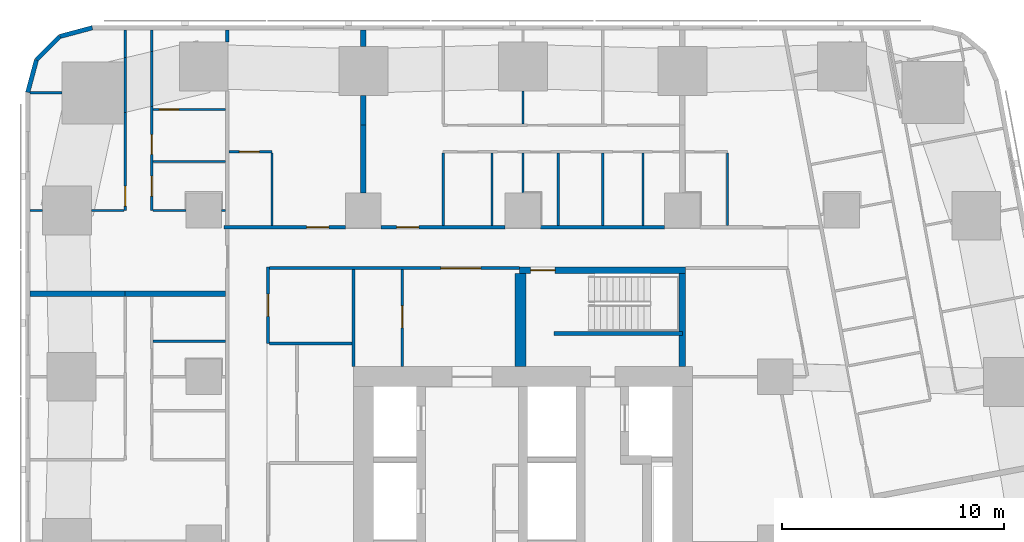
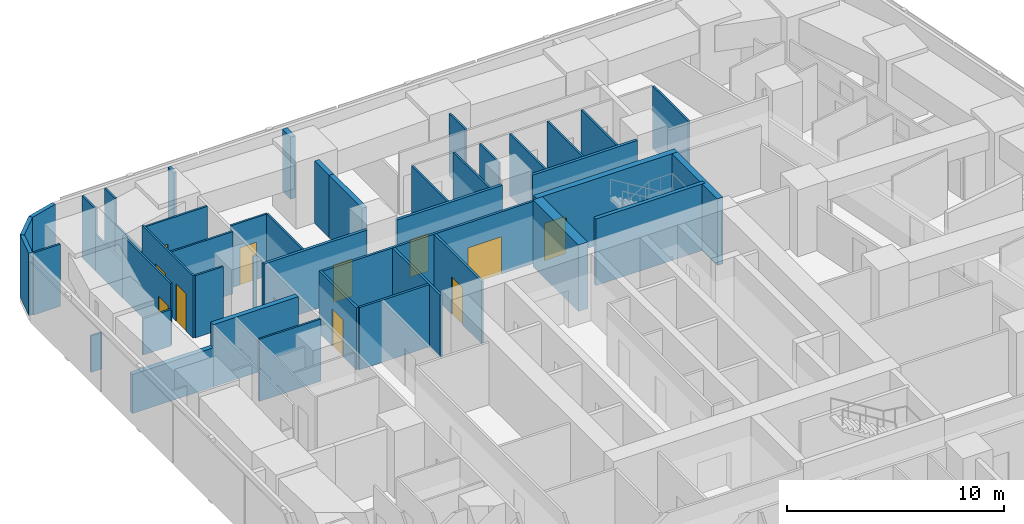
# One storey, part 8 of 15: 45 walls, 11 doors, 11 openings.
"""IFC4 building model written with IfcOpenShell, lengths in metres."""

import ifcopenshell
import ifcopenshell.guid

model = None  # the IFC model being written
_history = None  # IfcOwnerHistory: only IFC2X3 demands one
_inside = {}  # id of a spatial element -> (the spatial element, [elements in it])
_under = {}  # id of a project, library or spatial element -> (it, [spatial elements below it])
_declared = {}  # id of a project -> (the project, [libraries it declares])
_typed = {}  # id of a type object -> (the type object, [elements of that type])
_made_of = {}  # id of a material, layer set ... -> (it, [elements and type objects made of it])


def new_model(schema):
    """Start an empty IFC model of exactly this schema.

    Asked for "IFC4X3", IfcOpenShell would pick the latest addendum, in which some entities
    have other attributes; the version numbers below select the first issue.
    IFC2X3 requires an IfcOwnerHistory on every rooted entity: one is made here for all.
    """
    global model, _history
    if schema == "IFC4X3":
        model = ifcopenshell.file(schema_version=(4, 3, 0, 0))
    else:
        model = ifcopenshell.file(schema=schema)
    _inside.clear()
    _under.clear()
    _declared.clear()
    _typed.clear()
    _made_of.clear()
    _history = None
    if model.schema == "IFC2X3":
        org = make("IfcOrganization", Name="unknown")
        user = make(
            "IfcPersonAndOrganization",
            ThePerson=make("IfcPerson", FamilyName="unknown"),
            TheOrganization=org,
        )
        app = make(
            "IfcApplication",
            ApplicationDeveloper=org,
            Version="unknown",
            ApplicationFullName="unknown",
            ApplicationIdentifier="unknown",
        )
        _history = make(
            "IfcOwnerHistory",
            OwningUser=user,
            OwningApplication=app,
            ChangeAction="ADDED",
            CreationDate=0,
        )
    return model


def make(cls, **values):
    """One entity of the class cls with the attributes given. An attribute that is None is left unset."""
    return model.create_entity(
        cls, **{name: value for name, value in values.items() if value is not None}
    )


def rooted(cls, **values):
    """An entity with a GlobalId (a new one), such as an element, a storey or a relation."""
    return make(cls, GlobalId=ifcopenshell.guid.new(), OwnerHistory=_history, **values)


def si_unit(unit_type, name, prefix=None):
    """IfcSIUnit, for example si_unit("LENGTHUNIT", "METRE", prefix="MILLI")."""
    return make("IfcSIUnit", UnitType=unit_type, Prefix=prefix, Name=name)


def assignment(units):
    """IfcUnitAssignment: the units of a project."""
    return None if units is None else make("IfcUnitAssignment", Units=units)


def point(xyz):
    """IfcCartesianPoint."""
    return None if xyz is None else make("IfcCartesianPoint", Coordinates=xyz)


def direction(xyz):
    """IfcDirection."""
    return None if xyz is None else make("IfcDirection", DirectionRatios=xyz)


def frame(location, z_axis=None, x_axis=None):
    """IfcAxis2Placement3D, a coordinate frame: its origin and axes. An axis left out is left unset."""
    return make(
        "IfcAxis2Placement3D",
        Location=point(location),
        Axis=direction(z_axis),
        RefDirection=direction(x_axis),
    )


def frame_2d(location, x_axis=None):
    """IfcAxis2Placement2D, a coordinate frame in the plane: its origin and x axis."""
    return make(
        "IfcAxis2Placement2D", Location=point(location), RefDirection=direction(x_axis)
    )


def origin():
    """The frame at (0, 0, 0) with its axes left unset."""
    return frame((0.0, 0.0, 0.0))


def place(relative_to, where):
    """IfcLocalPlacement: puts the frame where relative to a parent placement (None: the world)."""
    return make(
        "IfcLocalPlacement", PlacementRelTo=relative_to, RelativePlacement=where
    )


def context(
    kind, dimensions, precision=None, world=None, true_north=None, identifier=None
):
    """IfcGeometricRepresentationContext, for example the 3D "Model" context."""
    return make(
        "IfcGeometricRepresentationContext",
        ContextIdentifier=identifier,
        ContextType=kind,
        CoordinateSpaceDimension=dimensions,
        Precision=precision,
        WorldCoordinateSystem=world,
        TrueNorth=true_north,
    )


def subcontext(parent, identifier, kind, view, scale=None):
    """IfcGeometricRepresentationSubContext, for example "Body" below "Model"."""
    return make(
        "IfcGeometricRepresentationSubContext",
        ContextIdentifier=identifier,
        ContextType=kind,
        ParentContext=parent,
        TargetScale=scale,
        TargetView=view,
    )


def project(units=None, contexts=None):
    """IfcProject with its units and contexts."""
    return rooted(
        "IfcProject",
        Name="project",
        RepresentationContexts=contexts,
        UnitsInContext=assignment(units),
    )


def spatial(cls, under=None, at=None, **own):
    """A site, building, storey or space (cls), placed at a placement, below another one or the project."""
    s = rooted(cls, ObjectPlacement=at, **own)
    if under is not None:
        _under.setdefault(under.id(), (under, []))[1].append(s)
    return s


def profile(cls, at=None, kind="AREA", **sizes):
    """A parametric profile (cls). Its sizes go by their IFC names, for example OverallWidth=200.0."""
    return make(cls, ProfileType=kind, Position=at, **sizes)


def rectangle(**sizes):
    """IfcRectangleProfileDef."""
    return profile("IfcRectangleProfileDef", **sizes)


def extrude(swept, where, along, depth):
    """IfcExtrudedAreaSolid: the profile swept, set in the frame where, extruded along a direction by depth."""
    return make(
        "IfcExtrudedAreaSolid",
        SweptArea=swept,
        Position=where,
        ExtrudedDirection=direction(along),
        Depth=depth,
    )


def shape(context_of_items, identifier, shape_type, items):
    """IfcShapeRepresentation: the items that make up one representation, for example the "Body"."""
    return make(
        "IfcShapeRepresentation",
        ContextOfItems=context_of_items,
        RepresentationIdentifier=identifier,
        RepresentationType=shape_type,
        Items=items,
    )


def material(Name=None, Category=None):
    """IfcMaterial."""
    return make("IfcMaterial", Name=Name, Category=Category)


def layer(
    of_material, thickness, ventilated=None, Name=None, Category=None, Priority=None
):
    """IfcMaterialLayer: one layer of a wall or slab, of a material (None: an air gap)."""
    return make(
        "IfcMaterialLayer",
        Material=of_material,
        LayerThickness=thickness,
        IsVentilated=ventilated,
        Name=Name,
        Category=Category,
        Priority=Priority,
    )


def layer_set(layers, Name=None):
    """IfcMaterialLayerSet."""
    return make("IfcMaterialLayerSet", MaterialLayers=layers, LayerSetName=Name)


def made_of(thing, what):
    """Note that an element or type object is made of a material, layer set ...; save() writes the relation."""
    if what is not None:
        _made_of.setdefault(what.id(), (what, []))[1].append(thing)
    return thing


def type_object(cls, material=None, **own):
    """A type object (cls), such as IfcWallType, which elements share."""
    return made_of(rooted(cls, **own), material)


def element(
    cls,
    number,
    at=None,
    inside=None,
    cuts=None,
    type_object=None,
    material=None,
    context=None,
    identifier="Body",
    shape_type=None,
    held_by="IfcProductDefinitionShape",
    body=None,
    shapes=None,
    **own,
):
    """One element of the class cls, such as IfcWall. Its Tag is "e" and its number.

    at: its placement. inside: the storey or other place that contains it. cuts: it is an
    opening in that element (IfcRelVoidsElement). A single representation is given by context,
    identifier, shape_type and body (its items); several are given by shapes. held_by: the class
    of the entity that holds the representations. save() writes the other relations.
    """
    e = rooted(cls, Tag="e%d" % number, ObjectPlacement=at, **own)
    if body is not None:
        shapes = [shape(context, identifier, shape_type, body)]
    if shapes is not None:
        e.Representation = make(held_by, Representations=shapes)
    if inside is not None:
        _inside.setdefault(inside.id(), (inside, []))[1].append(e)
    if cuts is not None:
        rooted(
            "IfcRelVoidsElement", RelatingBuildingElement=cuts, RelatedOpeningElement=e
        )
    if type_object is not None:
        _typed.setdefault(type_object.id(), (type_object, []))[1].append(e)
    return made_of(e, material)


def fill(opening, filler):
    """IfcRelFillsElement: the door or window that sits in an opening."""
    return rooted(
        "IfcRelFillsElement",
        RelatingOpeningElement=opening,
        RelatedBuildingElement=filler,
    )


def aggregate(whole, parts):
    """IfcRelAggregates: a whole, such as a stair, and the parts it consists of."""
    return rooted("IfcRelAggregates", RelatingObject=whole, RelatedObjects=parts)


def save(model, path):
    """Write the relations noted so far, then the file.

    IfcRelAggregates (storeys below a building ...), IfcRelContainedInSpatialStructure (elements
    in a storey), IfcRelDefinesByType, IfcRelAssociatesMaterial and IfcRelDeclares: one each for
    every whole, place, type object, material and project.
    """
    for whole, parts in _under.values():
        aggregate(whole, parts)
    for where, things in _inside.values():
        rooted(
            "IfcRelContainedInSpatialStructure",
            RelatedElements=things,
            RelatingStructure=where,
        )
    for kind, things in _typed.values():
        rooted("IfcRelDefinesByType", RelatedObjects=things, RelatingType=kind)
    for what, things in _made_of.values():
        rooted("IfcRelAssociatesMaterial", RelatedObjects=things, RelatingMaterial=what)
    for by, libraries in _declared.values():
        rooted("IfcRelDeclares", RelatingContext=by, RelatedDefinitions=libraries)
    model.write(path)


model = new_model("IFC4")

# Units and contexts
model_context = context("Model", 3, precision=1e-05, world=origin(), true_north=direction((0.0, 1.0)))
body_context = subcontext(model_context, "Body", "Model", "MODEL_VIEW")
ifc_project = project(units=[si_unit("LENGTHUNIT", "METRE"), si_unit("AREAUNIT", "SQUARE_METRE"), si_unit("VOLUMEUNIT", "CUBIC_METRE"), si_unit("PLANEANGLEUNIT", "RADIAN"), si_unit("MASSUNIT", "GRAM", prefix="KILO")], contexts=[model_context])

# Site, building, storey
site_placement = place(None, origin())
site = spatial("IfcSite", under=ifc_project, at=site_placement, CompositionType="ELEMENT")
building_placement = place(site_placement, origin())
building = spatial("IfcBuilding", under=site, at=building_placement, Name="Sheger Commons Tower", CompositionType="ELEMENT")
storey_placement = place(building_placement, frame((0.0, 0.0, 81.64990234375)))
storey = spatial("IfcBuildingStorey", under=building, at=storey_placement, Name="L20", CompositionType="ELEMENT", Elevation=81.64990234375)

# Wall
ifc_material_1 = material(Name="Hollow concrete block masonry, skimmed both sides", Category="masonry")
ifc_layer_1 = layer(ifc_material_1, 0.14990234375)
ifc_layer_set_1 = layer_set([ifc_layer_1], Name="CORRIDOR WALL 150")
wall_type_1 = type_object("IfcWallType", Name="CORRIDOR WALL 150", PredefinedType="SOLIDWALL", material=ifc_layer_set_1)
wall_1_placement = place(storey_placement, frame((8.25, 45.10107421875, 0.0), z_axis=(0.0, 0.0, 1.0), x_axis=(0.0, 1.0, 0.0)))
element("IfcWall", 1, at=wall_1_placement, inside=storey, type_object=wall_type_1, Name="Corridor wall L20", PredefinedType="SOLIDWALL", context=body_context, shape_type="SweptSolid", body=[
    extrude(rectangle(XDim=0.548828125, YDim=0.14990234375, at=frame_2d((0.2744140625, 0.0))), origin(), (0.0, 0.0, 1.0), 3.5),
])

# Wall, opening, door
wall_2_placement = place(storey_placement, frame((8.10009765625, 36.75, 0.0), z_axis=(0.0, 0.0, 1.0), x_axis=(1.0, 0.0, 0.0)))
wall_2 = element("IfcWall", 2, at=wall_2_placement, inside=storey, type_object=wall_type_1, Name="Corridor wall L20", PredefinedType="SOLIDWALL", context=body_context, shape_type="SweptSolid", body=[
    extrude(rectangle(XDim=5.4990234375, YDim=0.14990234375, at=frame_2d((2.74951171875, 0.0))), origin(), (0.0, 0.0, 1.0), 3.5),
])
opening_1_placement = place(wall_2_placement, frame((3.739013671875, 0.0, 0.0)))
opening_1 = element("IfcOpeningElement", 3, at=opening_1_placement, cuts=wall_2, Name="Opening D1", PredefinedType="OPENING", context=body_context, shape_type="SweptSolid", body=[
    extrude(rectangle(XDim=1.0, YDim=2.10009765625, at=frame_2d((0.5, 1.050048828125))), frame((0.0, 0.0849609375, 0.0), z_axis=(0.0, -1.0, 0.0), x_axis=(1.0, 0.0, 0.0)), (0.0, 0.0, 1.0), 0.169921875),
])
ifc_material_2 = material(Name="Steel door set, fire rated", Category="steel")
door_type_1 = type_object("IfcDoorType", Name="FLAT ENTRANCE DOOR 1000x2100", OperationType="NOTDEFINED", PredefinedType="DOOR", material=ifc_material_2)
door_1_placement = place(opening_1_placement, origin())
door_1 = element("IfcDoor", 4, at=door_1_placement, inside=storey, type_object=door_type_1, Name="Flat entrance door", OperationType="SINGLE_SWING_RIGHT", OverallHeight=2.10009765625, OverallWidth=1.0, PredefinedType="DOOR", context=body_context, shape_type="SweptSolid", body=[
    extrude(rectangle(XDim=1.0, YDim=2.10009765625, at=frame_2d((0.5, 1.050048828125))), frame((0.0, 0.02490234375, 0.0), z_axis=(0.0, -1.0, 0.0), x_axis=(1.0, 0.0, 0.0)), (0.0, 0.0, 1.0), 0.050048828125),
])
fill(opening_1, door_1)

wall_3_placement = place(storey_placement, frame((15.200927734375, 36.75, 0.0), z_axis=(0.0, 0.0, 1.0), x_axis=(1.0, 0.0, 0.0)))
wall_3 = element("IfcWall", 5, at=wall_3_placement, inside=storey, type_object=wall_type_1, Name="Corridor wall L20", PredefinedType="SOLIDWALL", context=body_context, shape_type="SweptSolid", body=[
    extrude(rectangle(XDim=5.59814453125, YDim=0.14990234375, at=frame_2d((2.799072265625, 0.0))), origin(), (0.0, 0.0, 1.0), 3.5),
])
opening_2_placement = place(wall_3_placement, frame((0.698974609375, 0.0, 0.0)))
opening_2 = element("IfcOpeningElement", 6, at=opening_2_placement, cuts=wall_3, Name="Opening D1", PredefinedType="OPENING", context=body_context, shape_type="SweptSolid", body=[
    extrude(rectangle(XDim=1.0, YDim=2.10009765625, at=frame_2d((0.5, 1.050048828125))), frame((0.0, 0.0849609375, 0.0), z_axis=(0.0, -1.0, 0.0), x_axis=(1.0, 0.0, 0.0)), (0.0, 0.0, 1.0), 0.169921875),
])
door_2_placement = place(opening_2_placement, origin())
door_2 = element("IfcDoor", 7, at=door_2_placement, inside=storey, type_object=door_type_1, Name="Flat entrance door", OperationType="SINGLE_SWING_LEFT", OverallHeight=2.10009765625, OverallWidth=1.0, PredefinedType="DOOR", context=body_context, shape_type="SweptSolid", body=[
    extrude(rectangle(XDim=1.0, YDim=2.10009765625, at=frame_2d((0.5, 1.050048828125))), frame((0.0, 0.02490234375, 0.0), z_axis=(0.0, -1.0, 0.0), x_axis=(1.0, 0.0, 0.0)), (0.0, 0.0, 1.0), 0.050048828125),
])
fill(opening_2, door_2)

# Walls
wall_4_placement = place(storey_placement, frame((22.40087890625, 36.75, 0.0), z_axis=(0.0, 0.0, 1.0), x_axis=(1.0, 0.0, 0.0)))
element("IfcWall", 8, at=wall_4_placement, inside=storey, type_object=wall_type_1, Name="Corridor wall L20", PredefinedType="SOLIDWALL", context=body_context, shape_type="SweptSolid", body=[
    extrude(rectangle(XDim=5.59814453125, YDim=0.14990234375, at=frame_2d((2.799072265625, 0.0))), origin(), (0.0, 0.0, 1.0), 3.5),
])
ifc_material_3 = material(Name="Dense concrete block masonry, plastered both sides (separating wall between flats)", Category="masonry")
ifc_layer_2 = layer(ifc_material_3, 0.25)
ifc_layer_set_2 = layer_set([ifc_layer_2], Name="DEMISING WALL 250")
wall_type_2 = type_object("IfcWallType", Name="DEMISING WALL 250", PredefinedType="SOLIDWALL", material=ifc_layer_set_2)
wall_5_placement = place(storey_placement, frame((-0.64990234375, 33.75, 0.0), z_axis=(0.0, 0.0, 1.0), x_axis=(1.0, 0.0, 0.0)))
element("IfcWall", 9, at=wall_5_placement, inside=storey, type_object=wall_type_2, Name="Demising wall L20", PredefinedType="SOLIDWALL", context=body_context, shape_type="SweptSolid", body=[
    extrude(rectangle(XDim=4.2998046875, YDim=0.25, at=frame_2d((2.14990234375, 0.0))), origin(), (0.0, 0.0, 1.0), 2.2001953125),
])
wall_6_placement = place(storey_placement, frame((3.64990234375, 33.75, 0.0), z_axis=(0.0, 0.0, 1.0), x_axis=(1.0, 0.0, 0.0)))
element("IfcWall", 10, at=wall_6_placement, inside=storey, type_object=wall_type_2, Name="Demising wall L20", PredefinedType="SOLIDWALL", context=body_context, shape_type="SweptSolid", body=[
    extrude(rectangle(XDim=4.525146484375, YDim=0.25, at=frame_2d((2.2626953125, 0.0))), origin(), (0.0, 0.0, 1.0), 3.5),
])
wall_7_placement = place(storey_placement, frame((14.39990234375, 41.35009765625, 0.0), z_axis=(0.0, 0.0, 1.0), x_axis=(0.0, 1.0, 0.0)))
element("IfcWall", 11, at=wall_7_placement, inside=storey, type_object=wall_type_2, Name="Demising wall L20", PredefinedType="SOLIDWALL", context=body_context, shape_type="SweptSolid", body=[
    extrude(rectangle(XDim=1.348876953125, YDim=0.25, at=frame_2d((0.67431640625, 0.0))), origin(), (0.0, 0.0, 1.0), 3.5),
])
wall_8_placement = place(storey_placement, frame((14.39990234375, 44.90087890625, 0.0), z_axis=(0.0, 0.0, 1.0), x_axis=(0.0, 1.0, 0.0)))
element("IfcWall", 12, at=wall_8_placement, inside=storey, type_object=wall_type_2, Name="Demising wall L20", PredefinedType="SOLIDWALL", context=body_context, shape_type="SweptSolid", body=[
    extrude(rectangle(XDim=0.7490234375, YDim=0.25, at=frame_2d((0.37451171875, 0.0))), origin(), (0.0, 0.0, 1.0), 3.5),
])
wall_9_placement = place(storey_placement, frame((14.39990234375, 38.301025390625, 0.0), z_axis=(0.0, 0.0, 1.0), x_axis=(0.0, 1.0, 0.0)))
element("IfcWall", 13, at=wall_9_placement, inside=storey, type_object=wall_type_2, Name="Demising wall L20", PredefinedType="SOLIDWALL", context=body_context, shape_type="SweptSolid", body=[
    extrude(rectangle(XDim=3.049072265625, YDim=0.25, at=frame_2d((1.5244140625, 0.0))), origin(), (0.0, 0.0, 1.0), 3.5),
])
ifc_material_4 = material(Name="Rendered concrete block masonry, dark grey", Category="masonry")
ifc_layer_3 = layer(ifc_material_4, 0.199951171875)
ifc_layer_set_3 = layer_set([ifc_layer_3], Name="FACADE WALL 200")
wall_type_3 = type_object("IfcWallType", Name="FACADE WALL 200", PredefinedType="SOLIDWALL", material=ifc_layer_set_3)
wall_10_placement = place(storey_placement, frame((2.1630859375, 45.75, 0.0), z_axis=(0.0, 0.0, 1.0), x_axis=(-0.965832000415, -0.259168954497, 0.0)))
element("IfcWall", 14, at=wall_10_placement, inside=storey, type_object=wall_type_3, Name="Facade wall L20", PredefinedType="SOLIDWALL", context=body_context, shape_type="SweptSolid", body=[
    extrude(rectangle(XDim=1.512939453125, YDim=0.199951171875, at=frame_2d((0.75634765625, 0.0))), origin(), (0.0, 0.0, 1.0), 3.5),
])
wall_11_placement = place(storey_placement, frame((0.701904296875, 45.35791015625, 0.0), z_axis=(0.0, 0.0, 1.0), x_axis=(-0.707106781187, -0.707106781187, 0.0)))
element("IfcWall", 15, at=wall_11_placement, inside=storey, type_object=wall_type_3, Name="Facade wall L20", PredefinedType="SOLIDWALL", context=body_context, shape_type="SweptSolid", body=[
    extrude(rectangle(XDim=1.498779296875, YDim=0.199951171875, at=frame_2d((0.74951171875, 0.0))), origin(), (0.0, 0.0, 1.0), 3.5),
])
wall_12_placement = place(storey_placement, frame((-0.35791015625, 44.298095703125, 0.0), z_axis=(0.0, 0.0, 1.0), x_axis=(-0.259168954497, -0.965832000415, 0.0)))
element("IfcWall", 16, at=wall_12_placement, inside=storey, type_object=wall_type_3, Name="Facade wall L20", PredefinedType="SOLIDWALL", context=body_context, shape_type="SweptSolid", body=[
    extrude(rectangle(XDim=1.512939453125, YDim=0.199951171875, at=frame_2d((0.75634765625, 0.0))), origin(), (0.0, 0.0, 1.0), 3.5),
])
ifc_material_5 = material(Name="Gypsum board on steel studs", Category="steel")
ifc_layer_4 = layer(ifc_material_5, 0.10009765625)
ifc_layer_set_4 = layer_set([ifc_layer_4], Name="PARTITION 100")
wall_type_4 = type_object("IfcWallType", Name="PARTITION 100", PredefinedType="PARTITIONING", material=ifc_layer_set_4)
wall_13_placement = place(storey_placement, frame((4.89990234375, 31.60009765625, 0.0), z_axis=(0.0, 0.0, 1.0), x_axis=(1.0, 0.0, 0.0)))
element("IfcWall", 17, at=wall_13_placement, inside=storey, type_object=wall_type_4, Name="Partition L20", PredefinedType="PARTITIONING", context=body_context, shape_type="SweptSolid", body=[
    extrude(rectangle(XDim=3.275146484375, YDim=0.10009765625, at=frame_2d((1.6376953125, 0.0))), origin(), (0.0, 0.0, 1.0), 3.5),
])

# Wall, opening, door
wall_14_placement = place(storey_placement, frame((3.64990234375, 37.5, 0.0), z_axis=(0.0, 0.0, 1.0), x_axis=(0.0, 1.0, 0.0)))
wall_14 = element("IfcWall", 18, at=wall_14_placement, inside=storey, type_object=wall_type_4, Name="Partition L20", PredefinedType="PARTITIONING", context=body_context, shape_type="SweptSolid", body=[
    extrude(rectangle(XDim=4.4150390625, YDim=0.10009765625, at=frame_2d((2.20751953125, 0.0))), origin(), (0.0, 0.0, 1.0), 3.5),
])
opening_3_placement = place(wall_14_placement, frame((0.199951171875, 0.0, 0.0)))
opening_3 = element("IfcOpeningElement", 19, at=opening_3_placement, cuts=wall_14, Name="Opening D2", PredefinedType="OPENING", context=body_context, shape_type="SweptSolid", body=[
    extrude(rectangle(XDim=0.89990234375, YDim=2.10009765625, at=frame_2d((0.449951171875, 1.050048828125))), frame((0.0, 0.06005859375, 0.0), z_axis=(0.0, -1.0, 0.0), x_axis=(1.0, 0.0, 0.0)), (0.0, 0.0, 1.0), 0.1201171875),
])
ifc_material_6 = material(Name="Timber door set", Category="wood")
door_type_2 = type_object("IfcDoorType", Name="INTERNAL DOOR 900x2100", OperationType="NOTDEFINED", PredefinedType="DOOR", material=ifc_material_6)
door_3_placement = place(opening_3_placement, origin())
door_3 = element("IfcDoor", 20, at=door_3_placement, inside=storey, type_object=door_type_2, Name="Main bedroom door", OperationType="SINGLE_SWING_LEFT", OverallHeight=2.10009765625, OverallWidth=0.89990234375, PredefinedType="DOOR", context=body_context, shape_type="SweptSolid", body=[
    extrude(rectangle(XDim=0.89990234375, YDim=2.10009765625, at=frame_2d((0.449951171875, 1.050048828125))), frame((0.0, 0.02490234375, 0.0), z_axis=(0.0, -1.0, 0.0), x_axis=(1.0, 0.0, 0.0)), (0.0, 0.0, 1.0), 0.050048828125),
])
fill(opening_3, door_3)

# Walls
wall_15_placement = place(storey_placement, frame((3.64990234375, 41.9150390625, 0.0), z_axis=(0.0, 0.0, 1.0), x_axis=(0.0, 1.0, 0.0)))
element("IfcWall", 21, at=wall_15_placement, inside=storey, type_object=wall_type_4, Name="Partition L20", PredefinedType="PARTITIONING", context=body_context, shape_type="SweptSolid", body=[
    extrude(rectangle(XDim=2.489990234375, YDim=0.10009765625, at=frame_2d((1.2451171875, 0.0))), origin(), (0.0, 0.0, 1.0), 2.050048828125),
])
wall_16_placement = place(storey_placement, frame((3.64990234375, 44.405029296875, 0.0), z_axis=(0.0, 0.0, 1.0), x_axis=(0.0, 1.0, 0.0)))
element("IfcWall", 22, at=wall_16_placement, inside=storey, type_object=wall_type_4, Name="Partition L20", PredefinedType="PARTITIONING", context=body_context, shape_type="SweptSolid", body=[
    extrude(rectangle(XDim=1.244873046875, YDim=0.10009765625, at=frame_2d((0.62255859375, 0.0))), origin(), (0.0, 0.0, 1.0), 3.5),
])

# Wall, openings, doors
wall_17_placement = place(storey_placement, frame((4.85009765625, 37.5, 0.0), z_axis=(0.0, 0.0, 1.0), x_axis=(0.0, 1.0, 0.0)))
wall_17 = element("IfcWall", 23, at=wall_17_placement, inside=storey, type_object=wall_type_4, Name="Partition L20", PredefinedType="PARTITIONING", context=body_context, shape_type="SweptSolid", body=[
    extrude(rectangle(XDim=4.698974609375, YDim=0.10009765625, at=frame_2d((2.349609375, 0.0))), origin(), (0.0, 0.0, 1.0), 3.5),
])
opening_4_placement = place(wall_17_placement, frame((0.655029296875, 0.0, 0.0)))
opening_4 = element("IfcOpeningElement", 24, at=opening_4_placement, cuts=wall_17, Name="Opening D2", PredefinedType="OPENING", context=body_context, shape_type="SweptSolid", body=[
    extrude(rectangle(XDim=0.89990234375, YDim=2.10009765625, at=frame_2d((0.449951171875, 1.050048828125))), frame((0.0, 0.06005859375, 0.0), z_axis=(0.0, -1.0, 0.0), x_axis=(1.0, 0.0, 0.0)), (0.0, 0.0, 1.0), 0.1201171875),
])
opening_5_placement = place(wall_17_placement, frame((2.530029296875, 0.0, 0.0)))
opening_5 = element("IfcOpeningElement", 25, at=opening_5_placement, cuts=wall_17, Name="Opening D2", PredefinedType="OPENING", context=body_context, shape_type="SweptSolid", body=[
    extrude(rectangle(XDim=0.89990234375, YDim=2.10009765625, at=frame_2d((0.449951171875, 1.050048828125))), frame((0.0, 0.06005859375, 0.0), z_axis=(0.0, -1.0, 0.0), x_axis=(1.0, 0.0, 0.0)), (0.0, 0.0, 1.0), 0.1201171875),
])
door_4_placement = place(opening_4_placement, origin())
door_4 = element("IfcDoor", 26, at=door_4_placement, inside=storey, type_object=door_type_2, Name="Bathroom door", OperationType="SINGLE_SWING_RIGHT", OverallHeight=2.10009765625, OverallWidth=0.89990234375, PredefinedType="DOOR", context=body_context, shape_type="SweptSolid", body=[
    extrude(rectangle(XDim=0.89990234375, YDim=2.10009765625, at=frame_2d((0.449951171875, 1.050048828125))), frame((0.0, 0.02490234375, 0.0), z_axis=(0.0, -1.0, 0.0), x_axis=(1.0, 0.0, 0.0)), (0.0, 0.0, 1.0), 0.050048828125),
])
fill(opening_4, door_4)
door_5_placement = place(opening_5_placement, origin())
door_5 = element("IfcDoor", 27, at=door_5_placement, inside=storey, type_object=door_type_2, Name="Store door", OperationType="SINGLE_SWING_RIGHT", OverallHeight=2.10009765625, OverallWidth=0.89990234375, PredefinedType="DOOR", context=body_context, shape_type="SweptSolid", body=[
    extrude(rectangle(XDim=0.89990234375, YDim=2.10009765625, at=frame_2d((0.449951171875, 1.050048828125))), frame((0.0, 0.02490234375, 0.0), z_axis=(0.0, -1.0, 0.0), x_axis=(1.0, 0.0, 0.0)), (0.0, 0.0, 1.0), 0.050048828125),
])
fill(opening_5, door_5)

# Walls
wall_18_placement = place(storey_placement, frame((4.85009765625, 42.198974609375, 0.0), z_axis=(0.0, 0.0, 1.0), x_axis=(0.0, 1.0, 0.0)))
element("IfcWall", 28, at=wall_18_placement, inside=storey, type_object=wall_type_4, Name="Partition L20", PredefinedType="PARTITIONING", context=body_context, shape_type="SweptSolid", body=[
    extrude(rectangle(XDim=2.489990234375, YDim=0.10009765625, at=frame_2d((1.2451171875, 0.0))), origin(), (0.0, 0.0, 1.0), 2.050048828125),
])
wall_19_placement = place(storey_placement, frame((4.85009765625, 44.68896484375, 0.0), z_axis=(0.0, 0.0, 1.0), x_axis=(0.0, 1.0, 0.0)))
element("IfcWall", 29, at=wall_19_placement, inside=storey, type_object=wall_type_4, Name="Partition L20", PredefinedType="PARTITIONING", context=body_context, shape_type="SweptSolid", body=[
    extrude(rectangle(XDim=0.9609375, YDim=0.10009765625, at=frame_2d((0.48046875, 0.0))), origin(), (0.0, 0.0, 1.0), 3.5),
])
wall_20_placement = place(storey_placement, frame((-0.64990234375, 37.5, 0.0), z_axis=(0.0, 0.0, 1.0), x_axis=(1.0, 0.0, 0.0)))
element("IfcWall", 30, at=wall_20_placement, inside=storey, type_object=wall_type_4, Name="Partition L20", PredefinedType="PARTITIONING", context=body_context, shape_type="SweptSolid", body=[
    extrude(rectangle(XDim=0.573974609375, YDim=0.10009765625, at=frame_2d((0.287109375, 0.0))), origin(), (0.0, 0.0, 1.0), 2.050048828125),
])
wall_21_placement = place(storey_placement, frame((2.1259765625, 37.5, 0.0), z_axis=(0.0, 0.0, 1.0), x_axis=(1.0, 0.0, 0.0)))
element("IfcWall", 31, at=wall_21_placement, inside=storey, type_object=wall_type_4, Name="Partition L20", PredefinedType="PARTITIONING", context=body_context, shape_type="SweptSolid", body=[
    extrude(rectangle(XDim=1.47412109375, YDim=0.10009765625, at=frame_2d((0.737060546875, 0.0))), origin(), (0.0, 0.0, 1.0), 2.050048828125),
])
wall_22_placement = place(storey_placement, frame((-0.64990234375, 42.81396484375, 0.0), z_axis=(0.0, 0.0, 1.0), x_axis=(1.0, 0.0, 0.0)))
element("IfcWall", 32, at=wall_22_placement, inside=storey, type_object=wall_type_4, Name="Partition L20", PredefinedType="PARTITIONING", context=body_context, shape_type="SweptSolid", body=[
    extrude(rectangle(XDim=1.434814453125, YDim=0.10009765625, at=frame_2d((0.71728515625, 0.0))), origin(), (0.0, 0.0, 1.0), 3.5),
])
wall_23_placement = place(storey_placement, frame((4.89990234375, 37.5, 0.0), z_axis=(0.0, 0.0, 1.0), x_axis=(1.0, 0.0, 0.0)))
element("IfcWall", 33, at=wall_23_placement, inside=storey, type_object=wall_type_4, Name="Partition L20", PredefinedType="PARTITIONING", context=body_context, shape_type="SweptSolid", body=[
    extrude(rectangle(XDim=1.4990234375, YDim=0.10009765625, at=frame_2d((0.74951171875, 0.0))), origin(), (0.0, 0.0, 1.0), 3.5),
])
wall_24_placement = place(storey_placement, frame((8.0009765625, 37.5, 0.0), z_axis=(0.0, 0.0, 1.0), x_axis=(1.0, 0.0, 0.0)))
element("IfcWall", 34, at=wall_24_placement, inside=storey, type_object=wall_type_4, Name="Partition L20", PredefinedType="PARTITIONING", context=body_context, shape_type="SweptSolid", body=[
    extrude(rectangle(XDim=0.174072265625, YDim=0.10009765625, at=frame_2d((0.0869140625, 0.0))), origin(), (0.0, 0.0, 1.0), 3.5),
])
wall_25_placement = place(storey_placement, frame((4.89990234375, 39.7099609375, 0.0), z_axis=(0.0, 0.0, 1.0), x_axis=(1.0, 0.0, 0.0)))
element("IfcWall", 35, at=wall_25_placement, inside=storey, type_object=wall_type_4, Name="Partition L20", PredefinedType="PARTITIONING", context=body_context, shape_type="SweptSolid", body=[
    extrude(rectangle(XDim=3.275146484375, YDim=0.10009765625, at=frame_2d((1.6376953125, 0.0))), origin(), (0.0, 0.0, 1.0), 3.5),
])

# Wall, opening, door
wall_26_placement = place(storey_placement, frame((8.324951171875, 40.14990234375, 0.0), z_axis=(0.0, 0.0, 1.0), x_axis=(1.0, 0.0, 0.0)))
wall_26 = element("IfcWall", 36, at=wall_26_placement, inside=storey, type_object=wall_type_4, Name="Partition L20", PredefinedType="PARTITIONING", context=body_context, shape_type="SweptSolid", body=[
    extrude(rectangle(XDim=1.9541015625, YDim=0.10009765625, at=frame_2d((0.97705078125, 0.0))), origin(), (0.0, 0.0, 1.0), 3.5),
])
opening_6_placement = place(wall_26_placement, frame((0.47509765625, 0.0, 0.0)))
opening_6 = element("IfcOpeningElement", 37, at=opening_6_placement, cuts=wall_26, Name="Opening D2", PredefinedType="OPENING", context=body_context, shape_type="SweptSolid", body=[
    extrude(rectangle(XDim=0.89990234375, YDim=2.10009765625, at=frame_2d((0.449951171875, 1.050048828125))), frame((0.0, 0.06005859375, 0.0), z_axis=(0.0, -1.0, 0.0), x_axis=(1.0, 0.0, 0.0)), (0.0, 0.0, 1.0), 0.1201171875),
])
door_6_placement = place(opening_6_placement, origin())
door_6 = element("IfcDoor", 38, at=door_6_placement, inside=storey, type_object=door_type_2, Name="Shower room door", OperationType="SINGLE_SWING_RIGHT", OverallHeight=2.10009765625, OverallWidth=0.89990234375, PredefinedType="DOOR", context=body_context, shape_type="SweptSolid", body=[
    extrude(rectangle(XDim=0.89990234375, YDim=2.10009765625, at=frame_2d((0.449951171875, 1.050048828125))), frame((0.0, 0.02490234375, 0.0), z_axis=(0.0, -1.0, 0.0), x_axis=(1.0, 0.0, 0.0)), (0.0, 0.0, 1.0), 0.050048828125),
])
fill(opening_6, door_6)

# Walls
wall_27_placement = place(storey_placement, frame((10.279052734375, 36.824951171875, 0.0), z_axis=(0.0, 0.0, 1.0), x_axis=(0.0, 1.0, 0.0)))
element("IfcWall", 39, at=wall_27_placement, inside=storey, type_object=wall_type_4, Name="Partition L20", PredefinedType="PARTITIONING", context=body_context, shape_type="SweptSolid", body=[
    extrude(rectangle(XDim=3.275146484375, YDim=0.10009765625, at=frame_2d((1.6376953125, 0.0))), origin(), (0.0, 0.0, 1.0), 3.5),
])
wall_28_placement = place(storey_placement, frame((21.60009765625, 41.39990234375, 0.0), z_axis=(0.0, 0.0, 1.0), x_axis=(0.0, 1.0, 0.0)))
element("IfcWall", 40, at=wall_28_placement, inside=storey, type_object=wall_type_4, Name="Partition L20", PredefinedType="PARTITIONING", context=body_context, shape_type="SweptSolid", body=[
    extrude(rectangle(XDim=1.4990234375, YDim=0.10009765625, at=frame_2d((0.74951171875, 0.0))), origin(), (0.0, 0.0, 1.0), 3.5),
])
wall_29_placement = place(storey_placement, frame((18.0, 36.824951171875, 0.0), z_axis=(0.0, 0.0, 1.0), x_axis=(0.0, 1.0, 0.0)))
element("IfcWall", 41, at=wall_29_placement, inside=storey, type_object=wall_type_4, Name="Partition L20", PredefinedType="PARTITIONING", context=body_context, shape_type="SweptSolid", body=[
    extrude(rectangle(XDim=3.275146484375, YDim=0.10009765625, at=frame_2d((1.6376953125, 0.0))), origin(), (0.0, 0.0, 1.0), 3.5),
])
wall_30_placement = place(storey_placement, frame((21.60009765625, 38.301025390625, 0.0), z_axis=(0.0, 0.0, 1.0), x_axis=(0.0, 1.0, 0.0)))
element("IfcWall", 42, at=wall_30_placement, inside=storey, type_object=wall_type_4, Name="Partition L20", PredefinedType="PARTITIONING", context=body_context, shape_type="SweptSolid", body=[
    extrude(rectangle(XDim=1.799072265625, YDim=0.10009765625, at=frame_2d((0.8994140625, 0.0))), origin(), (0.0, 0.0, 1.0), 3.5),
])
for number, where, z_axis, x_axis, name in (
    (43, (25.199951171875, 36.824951171875, 0.0), (0.0, 0.0, 1.0), (0.0, 1.0, 0.0), "Partition L20"),
    (44, (20.2099609375, 36.824951171875, 0.0), (0.0, 0.0, 1.0), (0.0, 1.0, 0.0), "Partition L20"),
    (45, (23.199951171875, 36.824951171875, 0.0), (0.0, 0.0, 1.0), (0.0, 1.0, 0.0), "Partition L20"),
    (46, (27.02001953125, 36.824951171875, 0.0), (0.0, 0.0, 1.0), (0.0, 1.0, 0.0), "Partition L20"),
    (47, (30.8291015625, 36.824951171875, 0.0), (0.0, 0.0, 1.0), (0.0, 1.0, 0.0), "Partition L20"),
):
    element("IfcWall", number, at=place(storey_placement, frame(where, z_axis=z_axis, x_axis=x_axis)), inside=storey, type_object=wall_type_4, Name=name, PredefinedType="PARTITIONING", context=body_context, shape_type="SweptSolid", body=[
        extrude(rectangle(XDim=3.275146484375, YDim=0.10009765625, at=frame_2d((1.6376953125, 0.0))), origin(), (0.0, 0.0, 1.0), 3.5),
    ])

# Wall, opening, door
wall_31_placement = place(storey_placement, frame((8.175048828125, 42.06005859375, 0.0), z_axis=(0.0, 0.0, 1.0), x_axis=(-1.0, 0.0, 0.0)))
wall_31 = element("IfcWall", 48, at=wall_31_placement, inside=storey, type_object=wall_type_4, Name="Partition L20", PredefinedType="PARTITIONING", context=body_context, shape_type="SweptSolid", body=[
    extrude(rectangle(XDim=3.275146484375, YDim=0.10009765625, at=frame_2d((1.6376953125, 0.0))), origin(), (0.0, 0.0, 1.0), 3.5),
])
opening_7_placement = place(wall_31_placement, frame((2.10009765625, 0.0, 0.0)))
opening_7 = element("IfcOpeningElement", 49, at=opening_7_placement, cuts=wall_31, Name="Opening D2", PredefinedType="OPENING", context=body_context, shape_type="SweptSolid", body=[
    extrude(rectangle(XDim=0.89990234375, YDim=2.10009765625, at=frame_2d((0.449951171875, 1.050048828125))), frame((0.0, 0.06005859375, 0.0), z_axis=(0.0, -1.0, 0.0), x_axis=(1.0, 0.0, 0.0)), (0.0, 0.0, 1.0), 0.1201171875),
])
door_7_placement = place(opening_7_placement, origin())
door_7 = element("IfcDoor", 50, at=door_7_placement, inside=storey, type_object=door_type_2, Name="Store door", OperationType="SINGLE_SWING_LEFT", OverallHeight=2.10009765625, OverallWidth=0.89990234375, PredefinedType="DOOR", context=body_context, shape_type="SweptSolid", body=[
    extrude(rectangle(XDim=0.89990234375, YDim=2.10009765625, at=frame_2d((0.449951171875, 1.050048828125))), frame((0.0, 0.02490234375, 0.0), z_axis=(0.0, -1.0, 0.0), x_axis=(1.0, 0.0, 0.0)), (0.0, 0.0, 1.0), 0.050048828125),
])
fill(opening_7, door_7)

ifc_material_7 = material(Name="Gypsum board on steel studs, two layers each side, fire rated", Category="steel")
ifc_layer_5 = layer(ifc_material_7, 0.125)
ifc_layer_set_5 = layer_set([ifc_layer_5], Name="SERVICE WALL 125")
wall_type_5 = type_object("IfcWallType", Name="SERVICE WALL 125", PredefinedType="PARTITIONING", material=ifc_layer_set_5)
wall_32_placement = place(storey_placement, frame((10.10009765625, 31.5, 0.0), z_axis=(0.0, 0.0, 1.0), x_axis=(0.0, 1.0, 0.0)))
wall_32 = element("IfcWall", 51, at=wall_32_placement, inside=storey, type_object=wall_type_5, Name="Service room wall L20", PredefinedType="PARTITIONING", context=body_context, shape_type="SweptSolid", body=[
    extrude(rectangle(XDim=3.449951171875, YDim=0.125, at=frame_2d((1.72509765625, 0.0))), origin(), (0.0, 0.0, 1.0), 3.5),
])
opening_8_placement = place(wall_32_placement, frame((1.22509765625, 0.0, 0.0)))
opening_8 = element("IfcOpeningElement", 52, at=opening_8_placement, cuts=wall_32, Name="Opening D4", PredefinedType="OPENING", context=body_context, shape_type="SweptSolid", body=[
    extrude(rectangle(XDim=1.0, YDim=2.10009765625, at=frame_2d((0.5, 1.050048828125))), frame((0.0, 0.072509765625, 0.0), z_axis=(0.0, -1.0, 0.0), x_axis=(1.0, 0.0, 0.0)), (0.0, 0.0, 1.0), 0.14501953125),
])
ifc_material_8 = material(Name="Steel door set, fire rated", Category="steel")
door_type_3 = type_object("IfcDoorType", Name="SERVICE DOOR 1000x2100", OperationType="NOTDEFINED", PredefinedType="DOOR", material=ifc_material_8)
door_8_placement = place(opening_8_placement, origin())
door_8 = element("IfcDoor", 53, at=door_8_placement, inside=storey, type_object=door_type_3, Name="Cleaner's store door", OperationType="SINGLE_SWING_LEFT", OverallHeight=2.10009765625, OverallWidth=1.0, PredefinedType="DOOR", context=body_context, shape_type="SweptSolid", body=[
    extrude(rectangle(XDim=1.0, YDim=2.10009765625, at=frame_2d((0.5, 1.050048828125))), frame((0.0, 0.02490234375, 0.0), z_axis=(0.0, -1.0, 0.0), x_axis=(1.0, 0.0, 0.0)), (0.0, 0.0, 1.0), 0.050048828125),
])
fill(opening_8, door_8)

# Walls
wall_33_placement = place(storey_placement, frame((10.1630859375, 31.5, 0.0), z_axis=(0.0, 0.0, 1.0), x_axis=(1.0, 0.0, 0.0)))
element("IfcWall", 54, at=wall_33_placement, inside=storey, type_object=wall_type_5, Name="Service room wall L20", PredefinedType="PARTITIONING", context=body_context, shape_type="SweptSolid", body=[
    extrude(rectangle(XDim=3.724853515625, YDim=0.125, at=frame_2d((1.8623046875, 0.0))), origin(), (0.0, 0.0, 1.0), 3.5),
])
wall_34_placement = place(storey_placement, frame((13.949951171875, 30.449951171875, 0.0), z_axis=(0.0, 0.0, 1.0), x_axis=(0.0, 1.0, 0.0)))
element("IfcWall", 55, at=wall_34_placement, inside=storey, type_object=wall_type_5, Name="Service room wall L20", PredefinedType="PARTITIONING", context=body_context, shape_type="SweptSolid", body=[
    extrude(rectangle(XDim=4.386962890625, YDim=0.125, at=frame_2d((2.193359375, 0.0))), origin(), (0.0, 0.0, 1.0), 3.5),
])

# Wall, opening, door
wall_35_placement = place(storey_placement, frame((10.1630859375, 34.89990234375, 0.0), z_axis=(0.0, 0.0, 1.0), x_axis=(1.0, 0.0, 0.0)))
wall_35 = element("IfcWall", 56, at=wall_35_placement, inside=storey, type_object=wall_type_5, Name="Service room wall L20", PredefinedType="PARTITIONING", context=body_context, shape_type="SweptSolid", body=[
    extrude(rectangle(XDim=11.286865234375, YDim=0.125, at=frame_2d((5.6435546875, 0.0))), origin(), (0.0, 0.0, 1.0), 3.5),
])
opening_9_placement = place(wall_35_placement, frame((7.737060546875, 0.0, 0.0)))
opening_9 = element("IfcOpeningElement", 57, at=opening_9_placement, cuts=wall_35, Name="Opening D6", PredefinedType="OPENING", context=body_context, shape_type="SweptSolid", body=[
    extrude(rectangle(XDim=1.800048828125, YDim=2.10009765625, at=frame_2d((0.89990234375, 1.050048828125))), frame((0.0, 0.072509765625, 0.0), z_axis=(0.0, -1.0, 0.0), x_axis=(1.0, 0.0, 0.0)), (0.0, 0.0, 1.0), 0.14501953125),
])
ifc_material_9 = material(Name="Steel door set, fire rated", Category="steel")
door_type_4 = type_object("IfcDoorType", Name="LOBBY DOUBLE DOOR 1800x2100", OperationType="DOUBLE_DOOR_SINGLE_SWING", PredefinedType="DOOR", material=ifc_material_9)
door_9_placement = place(opening_9_placement, origin())
door_9 = element("IfcDoor", 58, at=door_9_placement, inside=storey, type_object=door_type_4, Name="Lift lobby north door", OperationType="DOUBLE_DOOR_SINGLE_SWING", OverallHeight=2.10009765625, OverallWidth=1.800048828125, PredefinedType="DOOR", context=body_context, shape_type="SweptSolid", body=[
    extrude(rectangle(XDim=1.800048828125, YDim=2.10009765625, at=frame_2d((0.89990234375, 1.050048828125))), frame((0.0, 0.02490234375, 0.0), z_axis=(0.0, -1.0, 0.0), x_axis=(1.0, 0.0, 0.0)), (0.0, 0.0, 1.0), 0.050048828125),
])
fill(opening_9, door_9)

wall_36_placement = place(storey_placement, frame((16.14990234375, 30.449951171875, 0.0), z_axis=(0.0, 0.0, 1.0), x_axis=(0.0, 1.0, 0.0)))
wall_36 = element("IfcWall", 59, at=wall_36_placement, inside=storey, type_object=wall_type_5, Name="Service room wall L20", PredefinedType="PARTITIONING", context=body_context, shape_type="SweptSolid", body=[
    extrude(rectangle(XDim=4.386962890625, YDim=0.125, at=frame_2d((2.193359375, 0.0))), origin(), (0.0, 0.0, 1.0), 3.5),
])
opening_10_placement = place(wall_36_placement, frame((1.75, 0.0, 0.0)))
opening_10 = element("IfcOpeningElement", 60, at=opening_10_placement, cuts=wall_36, Name="Opening D4", PredefinedType="OPENING", context=body_context, shape_type="SweptSolid", body=[
    extrude(rectangle(XDim=1.0, YDim=2.10009765625, at=frame_2d((0.5, 1.050048828125))), frame((0.0, 0.072509765625, 0.0), z_axis=(0.0, -1.0, 0.0), x_axis=(1.0, 0.0, 0.0)), (0.0, 0.0, 1.0), 0.14501953125),
])
door_10_placement = place(opening_10_placement, origin())
door_10 = element("IfcDoor", 61, at=door_10_placement, inside=storey, type_object=door_type_3, Name="Telecom room door", OperationType="SINGLE_SWING_RIGHT", OverallHeight=2.10009765625, OverallWidth=1.0, PredefinedType="DOOR", context=body_context, shape_type="SweptSolid", body=[
    extrude(rectangle(XDim=1.0, YDim=2.10009765625, at=frame_2d((0.5, 1.050048828125))), frame((0.0, 0.02490234375, 0.0), z_axis=(0.0, -1.0, 0.0), x_axis=(1.0, 0.0, 0.0)), (0.0, 0.0, 1.0), 0.050048828125),
])
fill(opening_10, door_10)

ifc_material_10 = material(Name="Concrete C50/60", Category="concrete")
ifc_layer_6 = layer(ifc_material_10, 0.300048828125)
ifc_layer_set_6 = layer_set([ifc_layer_6], Name="STAIR CORE WALL 300")
wall_type_6 = type_object("IfcWallType", Name="STAIR CORE WALL 300", PredefinedType="SHEAR", material=ifc_layer_set_6)
wall_37_placement = place(storey_placement, frame((21.449951171875, 34.800048828125, 0.0), z_axis=(0.0, 0.0, 1.0), x_axis=(1.0, 0.0, 0.0)))
wall_37 = element("IfcWall", 62, at=wall_37_placement, inside=storey, type_object=wall_type_6, Name="STW-L20-S2N", PredefinedType="SHEAR", context=body_context, shape_type="SweptSolid", body=[
    extrude(rectangle(XDim=7.5, YDim=0.300048828125, at=frame_2d((3.75, 0.0))), origin(), (0.0, 0.0, 1.0), 3.75),
])
opening_11_placement = place(wall_37_placement, frame((0.5, 0.0, 0.0)))
opening_11 = element("IfcOpeningElement", 63, at=opening_11_placement, cuts=wall_37, Name="Opening D5", PredefinedType="OPENING", context=body_context, shape_type="SweptSolid", body=[
    extrude(rectangle(XDim=1.10009765625, YDim=2.10009765625, at=frame_2d((0.550048828125, 1.050048828125))), frame((0.0, 0.159912109375, 0.0), z_axis=(0.0, -1.0, 0.0), x_axis=(1.0, 0.0, 0.0)), (0.0, 0.0, 1.0), 0.320068359375),
])
ifc_material_11 = material(Name="Steel door set, fire rated", Category="steel")
door_type_5 = type_object("IfcDoorType", Name="STAIR DOOR 1100x2100", OperationType="NOTDEFINED", PredefinedType="DOOR", material=ifc_material_11)
door_11_placement = place(opening_11_placement, origin())
door_11 = element("IfcDoor", 64, at=door_11_placement, inside=storey, type_object=door_type_5, Name="Stair S2 door", OperationType="SINGLE_SWING_RIGHT", OverallHeight=2.10009765625, OverallWidth=1.10009765625, PredefinedType="DOOR", context=body_context, shape_type="SweptSolid", body=[
    extrude(rectangle(XDim=1.10009765625, YDim=2.10009765625, at=frame_2d((0.550048828125, 1.050048828125))), frame((0.0, 0.02490234375, 0.0), z_axis=(0.0, -1.0, 0.0), x_axis=(1.0, 0.0, 0.0)), (0.0, 0.0, 1.0), 0.050048828125),
])
fill(opening_11, door_11)

# Walls
wall_38_placement = place(storey_placement, frame((28.800048828125, 30.449951171875, 0.0), z_axis=(0.0, 0.0, 1.0), x_axis=(0.0, 1.0, 0.0)))
element("IfcWall", 65, at=wall_38_placement, inside=storey, type_object=wall_type_6, Name="STW-L20-S2E", PredefinedType="SHEAR", context=body_context, shape_type="SweptSolid", body=[
    extrude(rectangle(XDim=4.199951171875, YDim=0.300048828125, at=frame_2d((2.10009765625, 0.0))), origin(), (0.0, 0.0, 1.0), 3.75),
])
ifc_material_12 = material(Name="Concrete C50/60", Category="concrete")
ifc_layer_7 = layer(ifc_material_12, 0.5)
ifc_layer_set_7 = layer_set([ifc_layer_7], Name="STAIR CORE WALL 500")
wall_type_7 = type_object("IfcWallType", Name="STAIR CORE WALL 500", PredefinedType="SHEAR", material=ifc_layer_set_7)
wall_39_placement = place(storey_placement, frame((21.5, 30.449951171875, 0.0), z_axis=(0.0, 0.0, 1.0), x_axis=(0.0, 1.0, 0.0)))
element("IfcWall", 66, at=wall_39_placement, inside=storey, type_object=wall_type_7, Name="STW-L20-S2W", PredefinedType="SHEAR", context=body_context, shape_type="SweptSolid", body=[
    extrude(rectangle(XDim=4.199951171875, YDim=0.5, at=frame_2d((2.10009765625, 0.0))), origin(), (0.0, 0.0, 1.0), 3.75),
])
ifc_material_13 = material(Name="Concrete C50/60", Category="concrete")
ifc_layer_8 = layer(ifc_material_13, 0.199951171875)
ifc_layer_set_8 = layer_set([ifc_layer_8], Name="STAIR SPINE WALL 200")
wall_type_8 = type_object("IfcWallType", Name="STAIR SPINE WALL 200", PredefinedType="SHEAR", material=ifc_layer_set_8)
wall_40_placement = place(storey_placement, frame((23.0, 31.949951171875, 0.0), z_axis=(0.0, 0.0, 1.0), x_axis=(1.0, 0.0, 0.0)))
element("IfcWall", 67, at=wall_40_placement, inside=storey, type_object=wall_type_8, Name="Stair spine wall L20", PredefinedType="SHEAR", context=body_context, shape_type="SweptSolid", body=[
    extrude(rectangle(XDim=5.800048828125, YDim=0.199951171875, at=frame_2d((2.89990234375, 0.0))), origin(), (0.0, 0.0, 1.0), 3.75),
])

save(model, "model.ifc")
